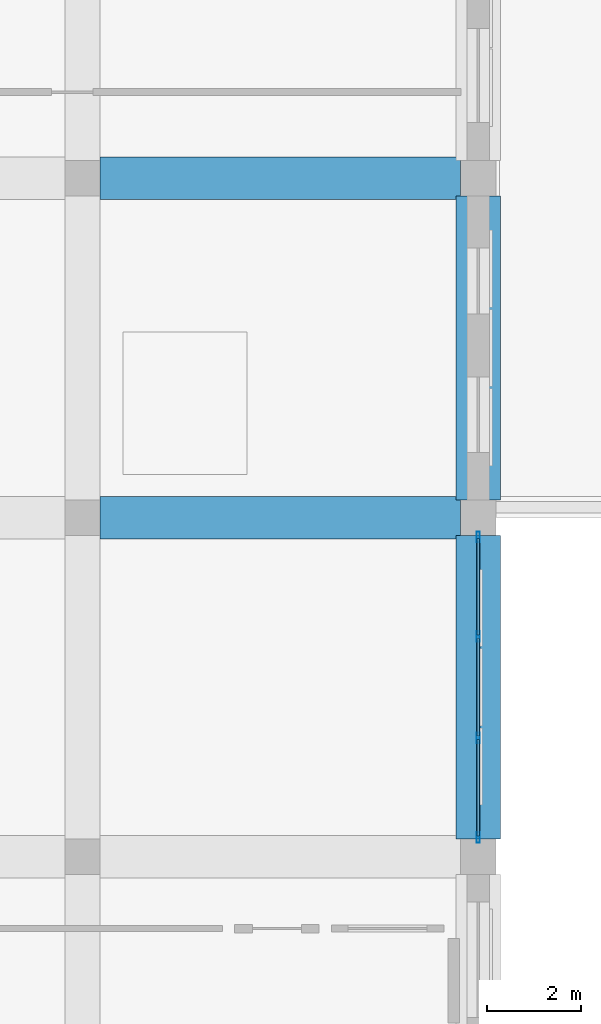
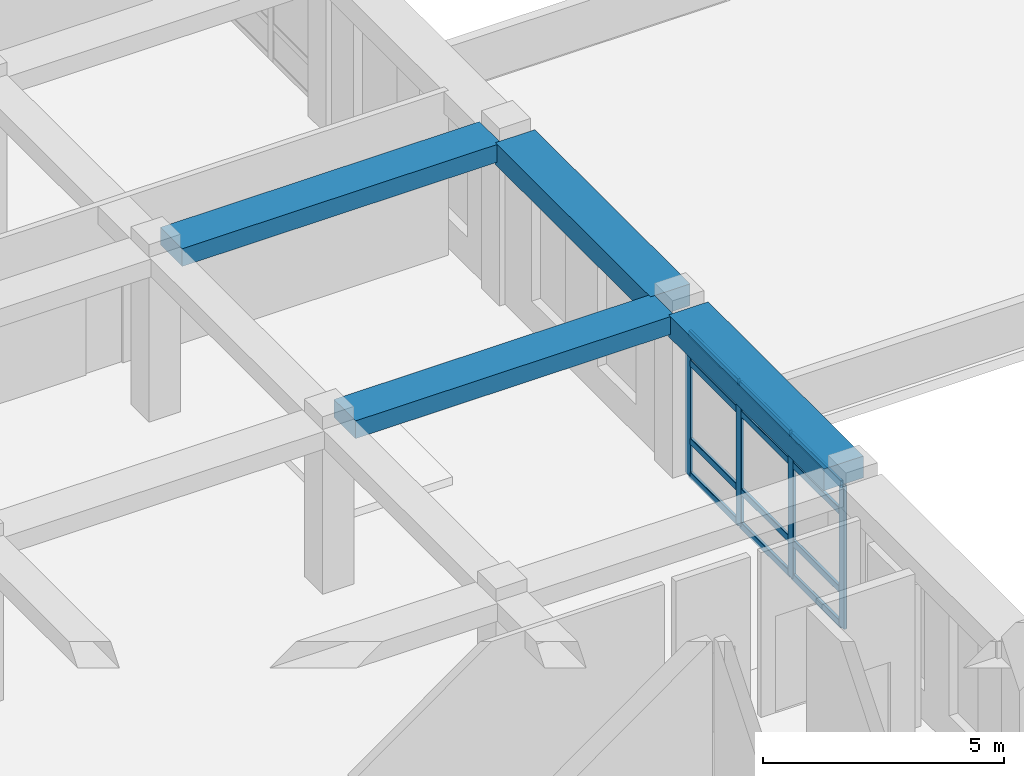
# One storey, part 46 of 121: 16 members, 4 beams, 1 element without a shape of its own.
"""IFC4 building model written with IfcOpenShell, lengths in metres."""

from ifc_helpers import new_model, si_unit, derived_unit, direction, frame, origin, origin_2d, place, context, subcontext, project, spatial, rectangle, hollow_rectangle, extrude, material, material_profile, profile_set, type_object, element, aggregate, save


model = new_model("IFC4")

# Units and contexts
model_context = context("Model", 3, precision=1e-05, world=origin(), true_north=direction((0.0, 1.0)))
body_context = subcontext(model_context, "Body", "Model", "MODEL_VIEW")
ifc_project = project(units=[si_unit("LENGTHUNIT", "METRE"), si_unit("AREAUNIT", "SQUARE_METRE"), si_unit("VOLUMEUNIT", "CUBIC_METRE"), si_unit("PLANEANGLEUNIT", "RADIAN"), si_unit("MASSUNIT", "GRAM", prefix="KILO"), derived_unit("THERMALTRANSMITTANCEUNIT", [(si_unit("POWERUNIT", "WATT"), 1), (si_unit("LENGTHUNIT", "METRE"), -2), (si_unit("THERMODYNAMICTEMPERATUREUNIT", "KELVIN"), -1)])], contexts=[model_context])

# Site, building, storey
site_placement = place(None, origin())
site = spatial("IfcSite", under=ifc_project, at=site_placement, CompositionType="ELEMENT")
building_placement = place(site_placement, origin())
building = spatial("IfcBuilding", under=site, at=building_placement, Name="Veybourne Emporium", CompositionType="ELEMENT")
storey_placement = place(building_placement, frame((0.0, 0.0, 5.39990234375)))
storey = spatial("IfcBuildingStorey", under=building, at=storey_placement, Name="L01", CompositionType="ELEMENT", Elevation=5.39990234375)

# Curtain wall, members
ifc_material_1 = material(Name="Patinated Architectural Bronze", Category="bronze")
curtain_wall_type = type_object("IfcCurtainWallType", Name="CWSystem_CWS-21", PredefinedType="NOTDEFINED", material=ifc_material_1)
curtain_wall_placement = place(storey_placement, origin())
curtain_wall = element("IfcCurtainWall", 1, at=curtain_wall_placement, inside=storey, type_object=curtain_wall_type, Name="L01 bronze glazed curtain wall CWS-21 (054)", PredefinedType="NOTDEFINED")
ifc_material_profile_1 = material_profile(ifc_material_1, hollow_rectangle(XDim=0.072021484375, YDim=0.22509765625, WallThickness=0.0048828125, InnerFilletRadius=0.007568359375, OuterFilletRadius=0.012451171875, at=origin_2d()), Name="CWM 72x225x5")
ifc_profile_set_1 = profile_set([ifc_material_profile_1], Name="Patinated Architectural Bronze")
member_type_1 = type_object("IfcMemberType", Name="CWMullion_CW-M1", PredefinedType="MULLION", material=ifc_profile_set_1)
member_1_placement = place(storey_placement, frame((100.800048828125, 78.7890625, 0.0), z_axis=(0.0, 0.0, 1.0), x_axis=(1.0, 0.0, 0.0)))
member_1 = element("IfcMember", 2, at=member_1_placement, type_object=member_type_1, Name="CWS-21 mullion 1", PredefinedType="MULLION", context=body_context, shape_type="SweptSolid", body=[
    extrude(hollow_rectangle(XDim=0.072021484375, YDim=0.22509765625, WallThickness=0.0048828125, InnerFilletRadius=0.007568359375, OuterFilletRadius=0.012451171875, at=origin_2d()), origin(), (0.0, 0.0, 1.0), 3.630126953125),
])
member_2_placement = place(storey_placement, frame((100.800048828125, 76.675048828125, 0.0), z_axis=(0.0, 0.0, 1.0), x_axis=(1.0, 0.0, 0.0)))
member_2 = element("IfcMember", 3, at=member_2_placement, type_object=member_type_1, Name="CWS-21 mullion 2", PredefinedType="MULLION", context=body_context, shape_type="SweptSolid", body=[
    extrude(hollow_rectangle(XDim=0.072021484375, YDim=0.22509765625, WallThickness=0.0048828125, InnerFilletRadius=0.007568359375, OuterFilletRadius=0.012451171875, at=origin_2d()), origin(), (0.0, 0.0, 1.0), 3.630126953125),
])
member_3_placement = place(storey_placement, frame((100.800048828125, 74.52490234375, 0.0), z_axis=(0.0, 0.0, 1.0), x_axis=(1.0, 0.0, 0.0)))
member_3 = element("IfcMember", 4, at=member_3_placement, type_object=member_type_1, Name="CWS-21 mullion 3", PredefinedType="MULLION", context=body_context, shape_type="SweptSolid", body=[
    extrude(hollow_rectangle(XDim=0.072021484375, YDim=0.22509765625, WallThickness=0.0048828125, InnerFilletRadius=0.007568359375, OuterFilletRadius=0.012451171875, at=origin_2d()), origin(), (0.0, 0.0, 1.0), 3.630126953125),
])
member_4_placement = place(storey_placement, frame((100.800048828125, 72.410888671875, 0.0), z_axis=(0.0, 0.0, 1.0), x_axis=(1.0, 0.0, 0.0)))
member_4 = element("IfcMember", 5, at=member_4_placement, type_object=member_type_1, Name="CWS-21 mullion 4", PredefinedType="MULLION", context=body_context, shape_type="SweptSolid", body=[
    extrude(hollow_rectangle(XDim=0.072021484375, YDim=0.22509765625, WallThickness=0.0048828125, InnerFilletRadius=0.007568359375, OuterFilletRadius=0.012451171875, at=origin_2d()), origin(), (0.0, 0.0, 1.0), 3.630126953125),
])
ifc_material_profile_2 = material_profile(ifc_material_1, hollow_rectangle(XDim=0.072021484375, YDim=0.175048828125, WallThickness=0.0048828125, InnerFilletRadius=0.007568359375, OuterFilletRadius=0.012451171875, at=origin_2d()), Name="CWT 72x175x5")
ifc_profile_set_2 = profile_set([ifc_material_profile_2], Name="Patinated Architectural Bronze")
member_type_2 = type_object("IfcMemberType", Name="CWTransom_CW-T1", PredefinedType="NOTDEFINED", material=ifc_profile_set_2)
member_5_placement = place(storey_placement, frame((100.800048828125, 78.7529296875, 0.0361328125), z_axis=(0.0, -1.0, 0.0), x_axis=(1.0, 0.0, 0.0)))
member_5 = element("IfcMember", 6, at=member_5_placement, type_object=member_type_2, Name="CWS-21 transom 1.1", ObjectType="TRANSOM", PredefinedType="USERDEFINED", context=body_context, shape_type="SweptSolid", body=[
    extrude(hollow_rectangle(XDim=0.072021484375, YDim=0.175048828125, WallThickness=0.0048828125, InnerFilletRadius=0.007568359375, OuterFilletRadius=0.012451171875, at=origin_2d()), origin(), (0.0, 0.0, 1.0), 2.0419921875),
])
member_6_placement = place(storey_placement, frame((100.800048828125, 78.7529296875, 0.900146484375), z_axis=(0.0, -1.0, 0.0), x_axis=(1.0, 0.0, 0.0)))
member_6 = element("IfcMember", 7, at=member_6_placement, type_object=member_type_2, Name="CWS-21 transom 1.2", ObjectType="TRANSOM", PredefinedType="USERDEFINED", context=body_context, shape_type="SweptSolid", body=[
    extrude(hollow_rectangle(XDim=0.072021484375, YDim=0.175048828125, WallThickness=0.0048828125, InnerFilletRadius=0.007568359375, OuterFilletRadius=0.012451171875, at=origin_2d()), origin(), (0.0, 0.0, 1.0), 2.0419921875),
])
member_7_placement = place(storey_placement, frame((100.800048828125, 78.7529296875, 2.880126953125), z_axis=(0.0, -1.0, 0.0), x_axis=(1.0, 0.0, 0.0)))
member_7 = element("IfcMember", 8, at=member_7_placement, type_object=member_type_2, Name="CWS-21 transom 1.3", ObjectType="TRANSOM", PredefinedType="USERDEFINED", context=body_context, shape_type="SweptSolid", body=[
    extrude(hollow_rectangle(XDim=0.072021484375, YDim=0.175048828125, WallThickness=0.0048828125, InnerFilletRadius=0.007568359375, OuterFilletRadius=0.012451171875, at=origin_2d()), origin(), (0.0, 0.0, 1.0), 2.0419921875),
])
member_8_placement = place(storey_placement, frame((100.800048828125, 78.7529296875, 3.593994140625), z_axis=(0.0, -1.0, 0.0), x_axis=(1.0, 0.0, 0.0)))
member_8 = element("IfcMember", 9, at=member_8_placement, type_object=member_type_2, Name="CWS-21 transom 1.4", ObjectType="TRANSOM", PredefinedType="USERDEFINED", context=body_context, shape_type="SweptSolid", body=[
    extrude(hollow_rectangle(XDim=0.072021484375, YDim=0.175048828125, WallThickness=0.0048828125, InnerFilletRadius=0.007568359375, OuterFilletRadius=0.012451171875, at=origin_2d()), origin(), (0.0, 0.0, 1.0), 2.0419921875),
])
member_9_placement = place(storey_placement, frame((100.800048828125, 76.638916015625, 0.0361328125), z_axis=(0.0, -1.0, 0.0), x_axis=(1.0, 0.0, 0.0)))
member_9 = element("IfcMember", 10, at=member_9_placement, type_object=member_type_2, Name="CWS-21 transom 2.1", ObjectType="TRANSOM", PredefinedType="USERDEFINED", context=body_context, shape_type="SweptSolid", body=[
    extrude(hollow_rectangle(XDim=0.072021484375, YDim=0.175048828125, WallThickness=0.0048828125, InnerFilletRadius=0.007568359375, OuterFilletRadius=0.012451171875, at=origin_2d()), origin(), (0.0, 0.0, 1.0), 2.077880859375),
])
member_10_placement = place(storey_placement, frame((100.800048828125, 76.638916015625, 0.900146484375), z_axis=(0.0, -1.0, 0.0), x_axis=(1.0, 0.0, 0.0)))
member_10 = element("IfcMember", 11, at=member_10_placement, type_object=member_type_2, Name="CWS-21 transom 2.2", ObjectType="TRANSOM", PredefinedType="USERDEFINED", context=body_context, shape_type="SweptSolid", body=[
    extrude(hollow_rectangle(XDim=0.072021484375, YDim=0.175048828125, WallThickness=0.0048828125, InnerFilletRadius=0.007568359375, OuterFilletRadius=0.012451171875, at=origin_2d()), origin(), (0.0, 0.0, 1.0), 2.077880859375),
])
member_11_placement = place(storey_placement, frame((100.800048828125, 76.638916015625, 2.880126953125), z_axis=(0.0, -1.0, 0.0), x_axis=(1.0, 0.0, 0.0)))
member_11 = element("IfcMember", 12, at=member_11_placement, type_object=member_type_2, Name="CWS-21 transom 2.3", ObjectType="TRANSOM", PredefinedType="USERDEFINED", context=body_context, shape_type="SweptSolid", body=[
    extrude(hollow_rectangle(XDim=0.072021484375, YDim=0.175048828125, WallThickness=0.0048828125, InnerFilletRadius=0.007568359375, OuterFilletRadius=0.012451171875, at=origin_2d()), origin(), (0.0, 0.0, 1.0), 2.077880859375),
])
member_12_placement = place(storey_placement, frame((100.800048828125, 76.638916015625, 3.593994140625), z_axis=(0.0, -1.0, 0.0), x_axis=(1.0, 0.0, 0.0)))
member_12 = element("IfcMember", 13, at=member_12_placement, type_object=member_type_2, Name="CWS-21 transom 2.4", ObjectType="TRANSOM", PredefinedType="USERDEFINED", context=body_context, shape_type="SweptSolid", body=[
    extrude(hollow_rectangle(XDim=0.072021484375, YDim=0.175048828125, WallThickness=0.0048828125, InnerFilletRadius=0.007568359375, OuterFilletRadius=0.012451171875, at=origin_2d()), origin(), (0.0, 0.0, 1.0), 2.077880859375),
])
member_13_placement = place(storey_placement, frame((100.800048828125, 74.489013671875, 0.0361328125), z_axis=(0.0, -1.0, 0.0), x_axis=(1.0, 0.0, 0.0)))
member_13 = element("IfcMember", 14, at=member_13_placement, type_object=member_type_2, Name="CWS-21 transom 3.1", ObjectType="TRANSOM", PredefinedType="USERDEFINED", context=body_context, shape_type="SweptSolid", body=[
    extrude(hollow_rectangle(XDim=0.072021484375, YDim=0.175048828125, WallThickness=0.0048828125, InnerFilletRadius=0.007568359375, OuterFilletRadius=0.012451171875, at=origin_2d()), origin(), (0.0, 0.0, 1.0), 2.0419921875),
])
member_14_placement = place(storey_placement, frame((100.800048828125, 74.489013671875, 0.900146484375), z_axis=(0.0, -1.0, 0.0), x_axis=(1.0, 0.0, 0.0)))
member_14 = element("IfcMember", 15, at=member_14_placement, type_object=member_type_2, Name="CWS-21 transom 3.2", ObjectType="TRANSOM", PredefinedType="USERDEFINED", context=body_context, shape_type="SweptSolid", body=[
    extrude(hollow_rectangle(XDim=0.072021484375, YDim=0.175048828125, WallThickness=0.0048828125, InnerFilletRadius=0.007568359375, OuterFilletRadius=0.012451171875, at=origin_2d()), origin(), (0.0, 0.0, 1.0), 2.0419921875),
])
member_15_placement = place(storey_placement, frame((100.800048828125, 74.489013671875, 2.880126953125), z_axis=(0.0, -1.0, 0.0), x_axis=(1.0, 0.0, 0.0)))
member_15 = element("IfcMember", 16, at=member_15_placement, type_object=member_type_2, Name="CWS-21 transom 3.3", ObjectType="TRANSOM", PredefinedType="USERDEFINED", context=body_context, shape_type="SweptSolid", body=[
    extrude(hollow_rectangle(XDim=0.072021484375, YDim=0.175048828125, WallThickness=0.0048828125, InnerFilletRadius=0.007568359375, OuterFilletRadius=0.012451171875, at=origin_2d()), origin(), (0.0, 0.0, 1.0), 2.0419921875),
])
member_16_placement = place(storey_placement, frame((100.800048828125, 74.489013671875, 3.593994140625), z_axis=(0.0, -1.0, 0.0), x_axis=(1.0, 0.0, 0.0)))
member_16 = element("IfcMember", 17, at=member_16_placement, type_object=member_type_2, Name="CWS-21 transom 3.4", ObjectType="TRANSOM", PredefinedType="USERDEFINED", context=body_context, shape_type="SweptSolid", body=[
    extrude(hollow_rectangle(XDim=0.072021484375, YDim=0.175048828125, WallThickness=0.0048828125, InnerFilletRadius=0.007568359375, OuterFilletRadius=0.012451171875, at=origin_2d()), origin(), (0.0, 0.0, 1.0), 2.0419921875),
])
aggregate(curtain_wall, [member_1, member_2, member_3, member_4, member_5, member_6, member_7, member_8, member_9, member_10, member_11, member_12, member_13, member_14, member_15, member_16])

# Beams
ifc_material_2 = material(Name="Concrete C32/40", Category="concrete")
ifc_material_profile_3 = material_profile(ifc_material_2, rectangle(XDim=0.89990234375, YDim=0.449951171875, at=origin_2d()), Name="RC 900x450")
ifc_profile_set_3 = profile_set([ifc_material_profile_3], Name="Concrete C32/40")
beam_type_1 = type_object("IfcBeamType", Name="RCBeam_BB-03", PredefinedType="BEAM", material=ifc_profile_set_3)
for number, where, z_axis, x_axis, name in (
    (18, (92.77490234375, 79.199951171875, 3.955078125), (1.0, 0.0, 0.0), (0.0, 1.0, 0.0), "L01 X-grid beam BB-03 (11,11)"),
    (19, (92.77490234375, 86.39990234375, 3.955078125), (1.0, 0.0, 0.0), (0.0, 1.0, 0.0), "L01 X-grid beam BB-03 (11,12)"),
):
    element("IfcBeam", number, at=place(storey_placement, frame(where, z_axis=z_axis, x_axis=x_axis)), inside=storey, type_object=beam_type_1, Name=name, PredefinedType="BEAM", context=body_context, shape_type="SweptSolid", body=[
        extrude(rectangle(XDim=0.89990234375, YDim=0.449951171875, at=origin_2d()), origin(), (0.0, 0.0, 1.0), 7.650146484375),
    ])
ifc_material_profile_4 = material_profile(ifc_material_2, rectangle(XDim=0.949951171875, YDim=0.550048828125, at=origin_2d()), Name="RC 950x550")
ifc_profile_set_4 = profile_set([ifc_material_profile_4], Name="Concrete C32/40")
beam_type_2 = type_object("IfcBeamType", Name="RCBeam_EB-01", PredefinedType="SPANDREL", material=ifc_profile_set_4)
for number, where, z_axis, x_axis, name in (
    (20, (100.800048828125, 72.375, 3.905029296875), (0.0, 1.0, 0.0), (-1.0, 0.0, 0.0), "L01 Y-grid beam EB-01 (12,10)"),
    (21, (100.800048828125, 79.574951171875, 3.905029296875), (0.0, 1.0, 0.0), (-1.0, 0.0, 0.0), "L01 Y-grid beam EB-01 (12,11)"),
):
    element("IfcBeam", number, at=place(storey_placement, frame(where, z_axis=z_axis, x_axis=x_axis)), inside=storey, type_object=beam_type_2, Name=name, PredefinedType="SPANDREL", context=body_context, shape_type="SweptSolid", body=[
        extrude(rectangle(XDim=0.949951171875, YDim=0.550048828125, at=origin_2d()), origin(), (0.0, 0.0, 1.0), 6.449951171875),
    ])

save(model, "model.ifc")
